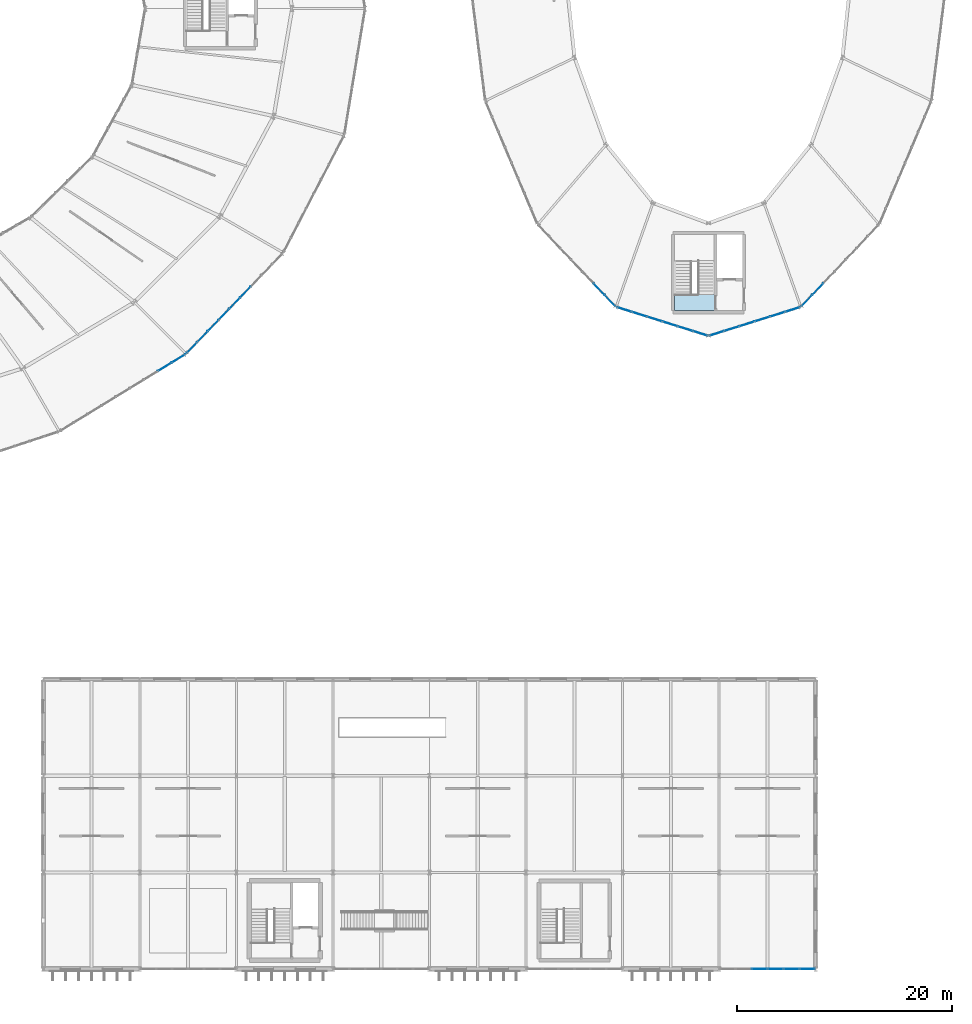
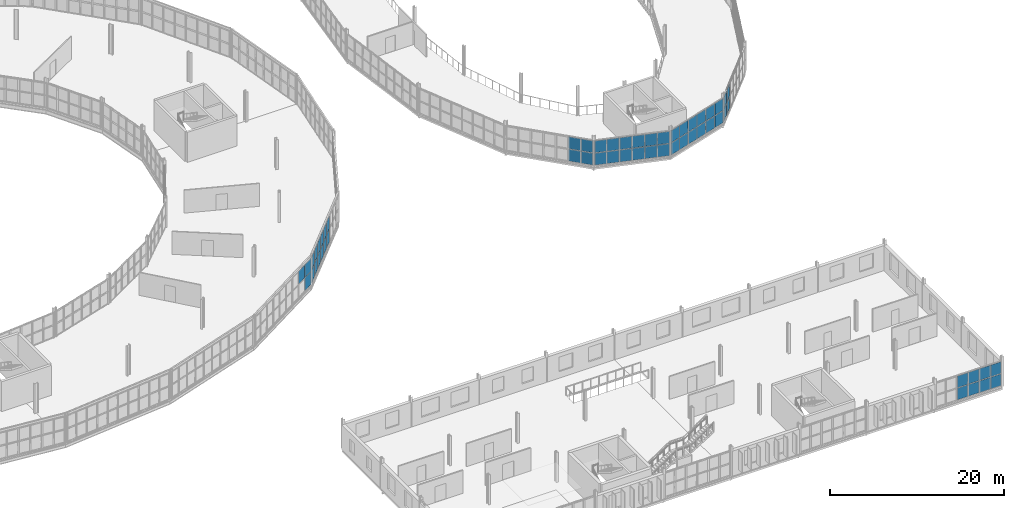
# One storey, part 120 of 161: 55 plates, 1 slab, 7 elements without a shape of their own.
"""IFC4 building model written with IfcOpenShell, lengths in metres."""

import ifcopenshell
import ifcopenshell.guid

model = None  # the IFC model being written
_history = None  # IfcOwnerHistory: only IFC2X3 demands one
_inside = {}  # id of a spatial element -> (the spatial element, [elements in it])
_under = {}  # id of a project, library or spatial element -> (it, [spatial elements below it])
_declared = {}  # id of a project -> (the project, [libraries it declares])
_typed = {}  # id of a type object -> (the type object, [elements of that type])
_made_of = {}  # id of a material, layer set ... -> (it, [elements and type objects made of it])


def new_model(schema):
    """Start an empty IFC model of exactly this schema.

    Asked for "IFC4X3", IfcOpenShell would pick the latest addendum, in which some entities
    have other attributes; the version numbers below select the first issue.
    IFC2X3 requires an IfcOwnerHistory on every rooted entity: one is made here for all.
    """
    global model, _history
    if schema == "IFC4X3":
        model = ifcopenshell.file(schema_version=(4, 3, 0, 0))
    else:
        model = ifcopenshell.file(schema=schema)
    _inside.clear()
    _under.clear()
    _declared.clear()
    _typed.clear()
    _made_of.clear()
    _history = None
    if model.schema == "IFC2X3":
        org = make("IfcOrganization", Name="unknown")
        user = make(
            "IfcPersonAndOrganization",
            ThePerson=make("IfcPerson", FamilyName="unknown"),
            TheOrganization=org,
        )
        app = make(
            "IfcApplication",
            ApplicationDeveloper=org,
            Version="unknown",
            ApplicationFullName="unknown",
            ApplicationIdentifier="unknown",
        )
        _history = make(
            "IfcOwnerHistory",
            OwningUser=user,
            OwningApplication=app,
            ChangeAction="ADDED",
            CreationDate=0,
        )
    return model


def make(cls, **values):
    """One entity of the class cls with the attributes given. An attribute that is None is left unset."""
    return model.create_entity(
        cls, **{name: value for name, value in values.items() if value is not None}
    )


def rooted(cls, **values):
    """An entity with a GlobalId (a new one), such as an element, a storey or a relation."""
    return make(cls, GlobalId=ifcopenshell.guid.new(), OwnerHistory=_history, **values)


def si_unit(unit_type, name, prefix=None):
    """IfcSIUnit, for example si_unit("LENGTHUNIT", "METRE", prefix="MILLI")."""
    return make("IfcSIUnit", UnitType=unit_type, Prefix=prefix, Name=name)


def assignment(units):
    """IfcUnitAssignment: the units of a project."""
    return None if units is None else make("IfcUnitAssignment", Units=units)


def point(xyz):
    """IfcCartesianPoint."""
    return None if xyz is None else make("IfcCartesianPoint", Coordinates=xyz)


def direction(xyz):
    """IfcDirection."""
    return None if xyz is None else make("IfcDirection", DirectionRatios=xyz)


def frame(location, z_axis=None, x_axis=None):
    """IfcAxis2Placement3D, a coordinate frame: its origin and axes. An axis left out is left unset."""
    return make(
        "IfcAxis2Placement3D",
        Location=point(location),
        Axis=direction(z_axis),
        RefDirection=direction(x_axis),
    )


def frame_2d(location, x_axis=None):
    """IfcAxis2Placement2D, a coordinate frame in the plane: its origin and x axis."""
    return make(
        "IfcAxis2Placement2D", Location=point(location), RefDirection=direction(x_axis)
    )


def origin():
    """The frame at (0, 0, 0) with its axes left unset."""
    return frame((0.0, 0.0, 0.0))


def origin_2d():
    """The frame at (0, 0) in the plane with its x axis left unset."""
    return frame_2d((0.0, 0.0))


def place(relative_to, where):
    """IfcLocalPlacement: puts the frame where relative to a parent placement (None: the world)."""
    return make(
        "IfcLocalPlacement", PlacementRelTo=relative_to, RelativePlacement=where
    )


def context(
    kind, dimensions, precision=None, world=None, true_north=None, identifier=None
):
    """IfcGeometricRepresentationContext, for example the 3D "Model" context."""
    return make(
        "IfcGeometricRepresentationContext",
        ContextIdentifier=identifier,
        ContextType=kind,
        CoordinateSpaceDimension=dimensions,
        Precision=precision,
        WorldCoordinateSystem=world,
        TrueNorth=true_north,
    )


def subcontext(parent, identifier, kind, view, scale=None):
    """IfcGeometricRepresentationSubContext, for example "Body" below "Model"."""
    return make(
        "IfcGeometricRepresentationSubContext",
        ContextIdentifier=identifier,
        ContextType=kind,
        ParentContext=parent,
        TargetScale=scale,
        TargetView=view,
    )


def project(units=None, contexts=None):
    """IfcProject with its units and contexts."""
    return rooted(
        "IfcProject",
        Name="project",
        RepresentationContexts=contexts,
        UnitsInContext=assignment(units),
    )


def spatial(cls, under=None, at=None, **own):
    """A site, building, storey or space (cls), placed at a placement, below another one or the project."""
    s = rooted(cls, ObjectPlacement=at, **own)
    if under is not None:
        _under.setdefault(under.id(), (under, []))[1].append(s)
    return s


def polyline(points):
    """IfcPolyline through the points."""
    return make("IfcPolyline", Points=[point(p) for p in points])


def profile(cls, at=None, kind="AREA", **sizes):
    """A parametric profile (cls). Its sizes go by their IFC names, for example OverallWidth=200.0."""
    return make(cls, ProfileType=kind, Position=at, **sizes)


def rectangle(**sizes):
    """IfcRectangleProfileDef."""
    return profile("IfcRectangleProfileDef", **sizes)


def outline(outer, holes=None, kind="AREA"):
    """IfcArbitraryClosedProfileDef: a profile drawn as a closed curve; with holes, ...WithVoids."""
    if holes is None:
        return make("IfcArbitraryClosedProfileDef", ProfileType=kind, OuterCurve=outer)
    return make(
        "IfcArbitraryProfileDefWithVoids",
        ProfileType=kind,
        OuterCurve=outer,
        InnerCurves=holes,
    )


def extrude(swept, where, along, depth):
    """IfcExtrudedAreaSolid: the profile swept, set in the frame where, extruded along a direction by depth."""
    return make(
        "IfcExtrudedAreaSolid",
        SweptArea=swept,
        Position=where,
        ExtrudedDirection=direction(along),
        Depth=depth,
    )


def shape(context_of_items, identifier, shape_type, items):
    """IfcShapeRepresentation: the items that make up one representation, for example the "Body"."""
    return make(
        "IfcShapeRepresentation",
        ContextOfItems=context_of_items,
        RepresentationIdentifier=identifier,
        RepresentationType=shape_type,
        Items=items,
    )


def material(Name=None, Category=None):
    """IfcMaterial."""
    return make("IfcMaterial", Name=Name, Category=Category)


def layer(
    of_material, thickness, ventilated=None, Name=None, Category=None, Priority=None
):
    """IfcMaterialLayer: one layer of a wall or slab, of a material (None: an air gap)."""
    return make(
        "IfcMaterialLayer",
        Material=of_material,
        LayerThickness=thickness,
        IsVentilated=ventilated,
        Name=Name,
        Category=Category,
        Priority=Priority,
    )


def layer_set(layers, Name=None):
    """IfcMaterialLayerSet."""
    return make("IfcMaterialLayerSet", MaterialLayers=layers, LayerSetName=Name)


def made_of(thing, what):
    """Note that an element or type object is made of a material, layer set ...; save() writes the relation."""
    if what is not None:
        _made_of.setdefault(what.id(), (what, []))[1].append(thing)
    return thing


def type_object(cls, material=None, **own):
    """A type object (cls), such as IfcWallType, which elements share."""
    return made_of(rooted(cls, **own), material)


def element(
    cls,
    number,
    at=None,
    inside=None,
    cuts=None,
    type_object=None,
    material=None,
    context=None,
    identifier="Body",
    shape_type=None,
    held_by="IfcProductDefinitionShape",
    body=None,
    shapes=None,
    **own,
):
    """One element of the class cls, such as IfcWall. Its Tag is "e" and its number.

    at: its placement. inside: the storey or other place that contains it. cuts: it is an
    opening in that element (IfcRelVoidsElement). A single representation is given by context,
    identifier, shape_type and body (its items); several are given by shapes. held_by: the class
    of the entity that holds the representations. save() writes the other relations.
    """
    e = rooted(cls, Tag="e%d" % number, ObjectPlacement=at, **own)
    if body is not None:
        shapes = [shape(context, identifier, shape_type, body)]
    if shapes is not None:
        e.Representation = make(held_by, Representations=shapes)
    if inside is not None:
        _inside.setdefault(inside.id(), (inside, []))[1].append(e)
    if cuts is not None:
        rooted(
            "IfcRelVoidsElement", RelatingBuildingElement=cuts, RelatedOpeningElement=e
        )
    if type_object is not None:
        _typed.setdefault(type_object.id(), (type_object, []))[1].append(e)
    return made_of(e, material)


def aggregate(whole, parts):
    """IfcRelAggregates: a whole, such as a stair, and the parts it consists of."""
    return rooted("IfcRelAggregates", RelatingObject=whole, RelatedObjects=parts)


def save(model, path):
    """Write the relations noted so far, then the file.

    IfcRelAggregates (storeys below a building ...), IfcRelContainedInSpatialStructure (elements
    in a storey), IfcRelDefinesByType, IfcRelAssociatesMaterial and IfcRelDeclares: one each for
    every whole, place, type object, material and project.
    """
    for whole, parts in _under.values():
        aggregate(whole, parts)
    for where, things in _inside.values():
        rooted(
            "IfcRelContainedInSpatialStructure",
            RelatedElements=things,
            RelatingStructure=where,
        )
    for kind, things in _typed.values():
        rooted("IfcRelDefinesByType", RelatedObjects=things, RelatingType=kind)
    for what, things in _made_of.values():
        rooted("IfcRelAssociatesMaterial", RelatedObjects=things, RelatingMaterial=what)
    for by, libraries in _declared.values():
        rooted("IfcRelDeclares", RelatingContext=by, RelatedDefinitions=libraries)
    model.write(path)


model = new_model("IFC4")

# Units and contexts
model_context = context("Model", 3, precision=1e-05, world=origin(), true_north=direction((0.0, 1.0)))
body_context = subcontext(model_context, "Body", "Model", "MODEL_VIEW")
ifc_project = project(units=[si_unit("LENGTHUNIT", "METRE"), si_unit("AREAUNIT", "SQUARE_METRE"), si_unit("VOLUMEUNIT", "CUBIC_METRE"), si_unit("PLANEANGLEUNIT", "RADIAN"), si_unit("MASSUNIT", "GRAM", prefix="KILO")], contexts=[model_context])

# Site, building, storey
site_placement = place(None, origin())
site = spatial("IfcSite", under=ifc_project, at=site_placement, CompositionType="ELEMENT")
building_placement = place(site_placement, origin())
building = spatial("IfcBuilding", under=site, at=building_placement, Name="Kildeholm Park Wholesale Market", CompositionType="ELEMENT")
storey_placement = place(building_placement, frame((0.0, 0.0, 5.39990234375)))
storey = spatial("IfcBuildingStorey", under=building, at=storey_placement, Name="L01", CompositionType="ELEMENT", Elevation=5.39990234375)

# Curtain wall, plates
ifc_material_1 = material(Name="Anodised aluminium and low-E double-glazed glass", Category="aluminium")
curtain_wall_type_1 = type_object("IfcCurtainWallType", Name="Market hall glazed arcade stick curtain wall CW-01", PredefinedType="NOTDEFINED", material=ifc_material_1)
curtain_wall_1_placement = place(storey_placement, origin())
curtain_wall_1 = element("IfcCurtainWall", 1, at=curtain_wall_1_placement, inside=storey, type_object=curtain_wall_type_1, Name="Curtain wall CW-V1-OT-20-1 CW-0099", PredefinedType="NOTDEFINED")
ifc_material_2 = material(Name="Double-glazed low-E insulated glass", Category="glass")
ifc_layer_1 = layer(ifc_material_2, 0.028076171875)
ifc_layer_set_1 = layer_set([ifc_layer_1], Name="Double-glazed low-E insulated glass")
plate_type_1 = type_object("IfcPlateType", Name="Curtain-wall panel CWP-1 28 mm", PredefinedType="CURTAIN_PANEL", material=ifc_layer_set_1)
plate_1_placement = place(storey_placement, frame((137.318603515625, 56.103759765625, 1.9326171875), z_axis=(0.0, 0.0, 1.0), x_axis=(0.852771402766, 0.522284342695, 0.0)))
plate_1 = element("IfcPlate", 2, at=plate_1_placement, type_object=plate_type_1, Name="CW-01 panel 8.2 PLT-1503", PredefinedType="CURTAIN_PANEL", context=body_context, shape_type="SweptSolid", body=[
    extrude(rectangle(XDim=1.46435546875, YDim=0.028076171875, at=origin_2d()), origin(), (0.0, 0.0, 1.0), 1.802490234375),
])
plate_2_placement = place(storey_placement, frame((138.609130859375, 56.89404296875, 0.06494140625), z_axis=(0.0, 0.0, 1.0), x_axis=(0.852771402766, 0.522284342695, 0.0)))
plate_2 = element("IfcPlate", 3, at=plate_2_placement, type_object=plate_type_1, Name="CW-01 panel 9.1 PLT-1504", PredefinedType="CURTAIN_PANEL", context=body_context, shape_type="SweptSolid", body=[
    extrude(rectangle(XDim=1.431884765625, YDim=0.028076171875, at=origin_2d()), origin(), (0.0, 0.0, 1.0), 1.802490234375),
])
plate_3_placement = place(storey_placement, frame((138.609130859375, 56.89404296875, 1.9326171875), z_axis=(0.0, 0.0, 1.0), x_axis=(0.852771402766, 0.522284342695, 0.0)))
plate_3 = element("IfcPlate", 4, at=plate_3_placement, type_object=plate_type_1, Name="CW-01 panel 9.2 PLT-1505", PredefinedType="CURTAIN_PANEL", context=body_context, shape_type="SweptSolid", body=[
    extrude(rectangle(XDim=1.431884765625, YDim=0.028076171875, at=origin_2d()), origin(), (0.0, 0.0, 1.0), 1.802490234375),
])
aggregate(curtain_wall_1, [plate_1, plate_2, plate_3])

curtain_wall_2_placement = place(storey_placement, origin())
curtain_wall_2 = element("IfcCurtainWall", 5, at=curtain_wall_2_placement, inside=storey, type_object=curtain_wall_type_1, Name="Curtain wall CW-V1-OT-21-1 CW-0104", PredefinedType="NOTDEFINED")
plate_4_placement = place(storey_placement, frame((139.848388671875, 57.884033203125, 0.06494140625), z_axis=(0.0, 0.0, 1.0), x_axis=(0.69303795493, 0.720901097951, 0.0)))
plate_4 = element("IfcPlate", 6, at=plate_4_placement, type_object=plate_type_1, Name="CW-01 panel 1.1 PLT-1558", PredefinedType="CURTAIN_PANEL", context=body_context, shape_type="SweptSolid", body=[
    extrude(rectangle(XDim=1.345947265625, YDim=0.028076171875, at=origin_2d()), origin(), (0.0, 0.0, 1.0), 1.802490234375),
])
plate_5_placement = place(storey_placement, frame((139.848388671875, 57.884033203125, 1.9326171875), z_axis=(0.0, 0.0, 1.0), x_axis=(0.69303795493, 0.720901097951, 0.0)))
plate_5 = element("IfcPlate", 7, at=plate_5_placement, type_object=plate_type_1, Name="CW-01 panel 1.2 PLT-1559", PredefinedType="CURTAIN_PANEL", context=body_context, shape_type="SweptSolid", body=[
    extrude(rectangle(XDim=1.345947265625, YDim=0.028076171875, at=origin_2d()), origin(), (0.0, 0.0, 1.0), 1.802490234375),
])
plate_6_placement = place(storey_placement, frame((140.837646484375, 58.9130859375, 0.06494140625), z_axis=(0.0, 0.0, 1.0), x_axis=(0.69303795493, 0.720901097951, 0.0)))
plate_6 = element("IfcPlate", 8, at=plate_6_placement, type_object=plate_type_1, Name="CW-01 panel 2.1 PLT-1560", PredefinedType="CURTAIN_PANEL", context=body_context, shape_type="SweptSolid", body=[
    extrude(rectangle(XDim=1.378662109375, YDim=0.028076171875, at=origin_2d()), origin(), (0.0, 0.0, 1.0), 1.802490234375),
])
plate_7_placement = place(storey_placement, frame((140.837646484375, 58.9130859375, 1.9326171875), z_axis=(0.0, 0.0, 1.0), x_axis=(0.69303795493, 0.720901097951, 0.0)))
plate_7 = element("IfcPlate", 9, at=plate_7_placement, type_object=plate_type_1, Name="CW-01 panel 2.2 PLT-1561", PredefinedType="CURTAIN_PANEL", context=body_context, shape_type="SweptSolid", body=[
    extrude(rectangle(XDim=1.378662109375, YDim=0.028076171875, at=origin_2d()), origin(), (0.0, 0.0, 1.0), 1.802490234375),
])
plate_8_placement = place(storey_placement, frame((141.838134765625, 59.95361328125, 0.06494140625), z_axis=(0.0, 0.0, 1.0), x_axis=(0.69303795493, 0.720901097951, 0.0)))
plate_8 = element("IfcPlate", 10, at=plate_8_placement, type_object=plate_type_1, Name="CW-01 panel 3.1 PLT-1562", PredefinedType="CURTAIN_PANEL", context=body_context, shape_type="SweptSolid", body=[
    extrude(rectangle(XDim=1.378662109375, YDim=0.028076171875, at=origin_2d()), origin(), (0.0, 0.0, 1.0), 1.802490234375),
])
plate_9_placement = place(storey_placement, frame((141.838134765625, 59.95361328125, 1.9326171875), z_axis=(0.0, 0.0, 1.0), x_axis=(0.69303795493, 0.720901097951, 0.0)))
plate_9 = element("IfcPlate", 11, at=plate_9_placement, type_object=plate_type_1, Name="CW-01 panel 3.2 PLT-1563", PredefinedType="CURTAIN_PANEL", context=body_context, shape_type="SweptSolid", body=[
    extrude(rectangle(XDim=1.378662109375, YDim=0.028076171875, at=origin_2d()), origin(), (0.0, 0.0, 1.0), 1.802490234375),
])
plate_10_placement = place(storey_placement, frame((142.838623046875, 60.994384765625, 0.06494140625), z_axis=(0.0, 0.0, 1.0), x_axis=(0.69303795493, 0.720901097951, 0.0)))
plate_10 = element("IfcPlate", 12, at=plate_10_placement, type_object=plate_type_1, Name="CW-01 panel 4.1 PLT-1564", PredefinedType="CURTAIN_PANEL", context=body_context, shape_type="SweptSolid", body=[
    extrude(rectangle(XDim=1.378662109375, YDim=0.028076171875, at=origin_2d()), origin(), (0.0, 0.0, 1.0), 1.802490234375),
])
plate_11_placement = place(storey_placement, frame((142.838623046875, 60.994384765625, 1.9326171875), z_axis=(0.0, 0.0, 1.0), x_axis=(0.69303795493, 0.720901097951, 0.0)))
plate_11 = element("IfcPlate", 13, at=plate_11_placement, type_object=plate_type_1, Name="CW-01 panel 4.2 PLT-1565", PredefinedType="CURTAIN_PANEL", context=body_context, shape_type="SweptSolid", body=[
    extrude(rectangle(XDim=1.378662109375, YDim=0.028076171875, at=origin_2d()), origin(), (0.0, 0.0, 1.0), 1.802490234375),
])
plate_12_placement = place(storey_placement, frame((143.839111328125, 62.034912109375, 0.06494140625), z_axis=(0.0, 0.0, 1.0), x_axis=(0.69303795493, 0.720901097951, 0.0)))
plate_12 = element("IfcPlate", 14, at=plate_12_placement, type_object=plate_type_1, Name="CW-01 panel 5.1 PLT-1566", PredefinedType="CURTAIN_PANEL", context=body_context, shape_type="SweptSolid", body=[
    extrude(rectangle(XDim=1.378662109375, YDim=0.028076171875, at=origin_2d()), origin(), (0.0, 0.0, 1.0), 1.802490234375),
])
plate_13_placement = place(storey_placement, frame((143.839111328125, 62.034912109375, 1.9326171875), z_axis=(0.0, 0.0, 1.0), x_axis=(0.69303795493, 0.720901097951, 0.0)))
plate_13 = element("IfcPlate", 15, at=plate_13_placement, type_object=plate_type_1, Name="CW-01 panel 5.2 PLT-1567", PredefinedType="CURTAIN_PANEL", context=body_context, shape_type="SweptSolid", body=[
    extrude(rectangle(XDim=1.378662109375, YDim=0.028076171875, at=origin_2d()), origin(), (0.0, 0.0, 1.0), 1.802490234375),
])
plate_14_placement = place(storey_placement, frame((144.83935546875, 63.07568359375, 0.06494140625), z_axis=(0.0, 0.0, 1.0), x_axis=(0.69303795493, 0.720901097951, 0.0)))
plate_14 = element("IfcPlate", 16, at=plate_14_placement, type_object=plate_type_1, Name="CW-01 panel 6.1 PLT-1568", PredefinedType="CURTAIN_PANEL", context=body_context, shape_type="SweptSolid", body=[
    extrude(rectangle(XDim=1.378662109375, YDim=0.028076171875, at=origin_2d()), origin(), (0.0, 0.0, 1.0), 1.802490234375),
])
plate_15_placement = place(storey_placement, frame((144.83935546875, 63.07568359375, 1.9326171875), z_axis=(0.0, 0.0, 1.0), x_axis=(0.69303795493, 0.720901097951, 0.0)))
plate_15 = element("IfcPlate", 17, at=plate_15_placement, type_object=plate_type_1, Name="CW-01 panel 6.2 PLT-1569", PredefinedType="CURTAIN_PANEL", context=body_context, shape_type="SweptSolid", body=[
    extrude(rectangle(XDim=1.378662109375, YDim=0.028076171875, at=origin_2d()), origin(), (0.0, 0.0, 1.0), 1.802490234375),
])
aggregate(curtain_wall_2, [plate_4, plate_5, plate_6, plate_7, plate_8, plate_9, plate_10, plate_11, plate_12, plate_13, plate_14, plate_15])

curtain_wall_3_placement = place(storey_placement, origin())
curtain_wall_3 = element("IfcCurtainWall", 18, at=curtain_wall_3_placement, inside=storey, type_object=curtain_wall_type_1, Name="Curtain wall CW-V2-L01-10 CW-0129", PredefinedType="NOTDEFINED")
plate_16_placement = place(storey_placement, frame((177.806396484375, 63.35888671875, 0.06494140625), z_axis=(0.0, 0.0, 1.0), x_axis=(0.688147627866, -0.725570701078, 0.0)))
plate_16 = element("IfcPlate", 19, at=plate_16_placement, type_object=plate_type_1, Name="CW-01 panel 6.1 PLT-1904", PredefinedType="CURTAIN_PANEL", context=body_context, shape_type="SweptSolid", body=[
    extrude(rectangle(XDim=1.43896484375, YDim=0.028076171875, at=origin_2d()), origin(), (0.0, 0.0, 1.0), 1.677490234375),
])
plate_17_placement = place(storey_placement, frame((177.806396484375, 63.35888671875, 1.8076171875), z_axis=(0.0, 0.0, 1.0), x_axis=(0.688147627866, -0.725570701078, 0.0)))
plate_17 = element("IfcPlate", 20, at=plate_17_placement, type_object=plate_type_1, Name="CW-01 panel 6.2 PLT-1905", PredefinedType="CURTAIN_PANEL", context=body_context, shape_type="SweptSolid", body=[
    extrude(rectangle(XDim=1.43896484375, YDim=0.028076171875, at=origin_2d()), origin(), (0.0, 0.0, 1.0), 1.677490234375),
])
plate_18_placement = place(storey_placement, frame((178.830322265625, 62.279541015625, 0.06494140625), z_axis=(0.0, 0.0, 1.0), x_axis=(0.688147627866, -0.725570701078, 0.0)))
plate_18 = element("IfcPlate", 21, at=plate_18_placement, type_object=plate_type_1, Name="CW-01 panel 7.1 PLT-1906", PredefinedType="CURTAIN_PANEL", context=body_context, shape_type="SweptSolid", body=[
    extrude(rectangle(XDim=1.406494140625, YDim=0.028076171875, at=origin_2d()), origin(), (0.0, 0.0, 1.0), 1.677490234375),
])
plate_19_placement = place(storey_placement, frame((178.830322265625, 62.279541015625, 1.8076171875), z_axis=(0.0, 0.0, 1.0), x_axis=(0.688147627866, -0.725570701078, 0.0)))
plate_19 = element("IfcPlate", 22, at=plate_19_placement, type_object=plate_type_1, Name="CW-01 panel 7.2 PLT-1907", PredefinedType="CURTAIN_PANEL", context=body_context, shape_type="SweptSolid", body=[
    extrude(rectangle(XDim=1.406494140625, YDim=0.028076171875, at=origin_2d()), origin(), (0.0, 0.0, 1.0), 1.677490234375),
])
aggregate(curtain_wall_3, [plate_16, plate_17, plate_18, plate_19])

curtain_wall_4_placement = place(storey_placement, origin())
curtain_wall_4 = element("IfcCurtainWall", 23, at=curtain_wall_4_placement, inside=storey, type_object=curtain_wall_type_1, Name="Curtain wall CW-V2-L01-11 CW-0130", PredefinedType="NOTDEFINED")
plate_20_placement = place(storey_placement, frame((180.15283203125, 61.450927734375, 0.06494140625), z_axis=(0.0, 0.0, 1.0), x_axis=(0.954103280938, -0.29947776095, 0.0)))
plate_20 = element("IfcPlate", 24, at=plate_20_placement, type_object=plate_type_1, Name="CW-01 panel 1.1 PLT-1908", PredefinedType="CURTAIN_PANEL", context=body_context, shape_type="SweptSolid", body=[
    extrude(rectangle(XDim=1.393310546875, YDim=0.028076171875, at=origin_2d()), origin(), (0.0, 0.0, 1.0), 1.677490234375),
])
plate_21_placement = place(storey_placement, frame((180.15283203125, 61.450927734375, 1.8076171875), z_axis=(0.0, 0.0, 1.0), x_axis=(0.954103280938, -0.29947776095, 0.0)))
plate_21 = element("IfcPlate", 25, at=plate_21_placement, type_object=plate_type_1, Name="CW-01 panel 1.2 PLT-1909", PredefinedType="CURTAIN_PANEL", context=body_context, shape_type="SweptSolid", body=[
    extrude(rectangle(XDim=1.393310546875, YDim=0.028076171875, at=origin_2d()), origin(), (0.0, 0.0, 1.0), 1.677490234375),
])
plate_22_placement = place(storey_placement, frame((181.559814453125, 61.00927734375, 0.06494140625), z_axis=(0.0, 0.0, 1.0), x_axis=(0.954103280938, -0.29947776095, 0.0)))
plate_22 = element("IfcPlate", 26, at=plate_22_placement, type_object=plate_type_1, Name="CW-01 panel 2.1 PLT-1910", PredefinedType="CURTAIN_PANEL", context=body_context, shape_type="SweptSolid", body=[
    extrude(rectangle(XDim=1.426025390625, YDim=0.028076171875, at=origin_2d()), origin(), (0.0, 0.0, 1.0), 1.677490234375),
])
plate_23_placement = place(storey_placement, frame((181.559814453125, 61.00927734375, 1.8076171875), z_axis=(0.0, 0.0, 1.0), x_axis=(0.954103280938, -0.29947776095, 0.0)))
plate_23 = element("IfcPlate", 27, at=plate_23_placement, type_object=plate_type_1, Name="CW-01 panel 2.2 PLT-1911", PredefinedType="CURTAIN_PANEL", context=body_context, shape_type="SweptSolid", body=[
    extrude(rectangle(XDim=1.426025390625, YDim=0.028076171875, at=origin_2d()), origin(), (0.0, 0.0, 1.0), 1.677490234375),
])
plate_24_placement = place(storey_placement, frame((182.982177734375, 60.562744140625, 0.06494140625), z_axis=(0.0, 0.0, 1.0), x_axis=(0.954103280938, -0.29947776095, 0.0)))
plate_24 = element("IfcPlate", 28, at=plate_24_placement, type_object=plate_type_1, Name="CW-01 panel 3.1 PLT-1912", PredefinedType="CURTAIN_PANEL", context=body_context, shape_type="SweptSolid", body=[
    extrude(rectangle(XDim=1.426025390625, YDim=0.028076171875, at=origin_2d()), origin(), (0.0, 0.0, 1.0), 1.677490234375),
])
plate_25_placement = place(storey_placement, frame((182.982177734375, 60.562744140625, 1.8076171875), z_axis=(0.0, 0.0, 1.0), x_axis=(0.954103280938, -0.29947776095, 0.0)))
plate_25 = element("IfcPlate", 29, at=plate_25_placement, type_object=plate_type_1, Name="CW-01 panel 3.2 PLT-1913", PredefinedType="CURTAIN_PANEL", context=body_context, shape_type="SweptSolid", body=[
    extrude(rectangle(XDim=1.426025390625, YDim=0.028076171875, at=origin_2d()), origin(), (0.0, 0.0, 1.0), 1.677490234375),
])
plate_26_placement = place(storey_placement, frame((184.40478515625, 60.1162109375, 0.06494140625), z_axis=(0.0, 0.0, 1.0), x_axis=(0.954103280938, -0.29947776095, 0.0)))
plate_26 = element("IfcPlate", 30, at=plate_26_placement, type_object=plate_type_1, Name="CW-01 panel 4.1 PLT-1914", PredefinedType="CURTAIN_PANEL", context=body_context, shape_type="SweptSolid", body=[
    extrude(rectangle(XDim=1.426025390625, YDim=0.028076171875, at=origin_2d()), origin(), (0.0, 0.0, 1.0), 1.677490234375),
])
plate_27_placement = place(storey_placement, frame((184.40478515625, 60.1162109375, 1.8076171875), z_axis=(0.0, 0.0, 1.0), x_axis=(0.954103280938, -0.29947776095, 0.0)))
plate_27 = element("IfcPlate", 31, at=plate_27_placement, type_object=plate_type_1, Name="CW-01 panel 4.2 PLT-1915", PredefinedType="CURTAIN_PANEL", context=body_context, shape_type="SweptSolid", body=[
    extrude(rectangle(XDim=1.426025390625, YDim=0.028076171875, at=origin_2d()), origin(), (0.0, 0.0, 1.0), 1.677490234375),
])
plate_28_placement = place(storey_placement, frame((185.8271484375, 59.669677734375, 0.06494140625), z_axis=(0.0, 0.0, 1.0), x_axis=(0.954103280938, -0.29947776095, 0.0)))
plate_28 = element("IfcPlate", 32, at=plate_28_placement, type_object=plate_type_1, Name="CW-01 panel 5.1 PLT-1916", PredefinedType="CURTAIN_PANEL", context=body_context, shape_type="SweptSolid", body=[
    extrude(rectangle(XDim=1.426025390625, YDim=0.028076171875, at=origin_2d()), origin(), (0.0, 0.0, 1.0), 1.677490234375),
])
plate_29_placement = place(storey_placement, frame((185.8271484375, 59.669677734375, 1.8076171875), z_axis=(0.0, 0.0, 1.0), x_axis=(0.954103280938, -0.29947776095, 0.0)))
plate_29 = element("IfcPlate", 33, at=plate_29_placement, type_object=plate_type_1, Name="CW-01 panel 5.2 PLT-1917", PredefinedType="CURTAIN_PANEL", context=body_context, shape_type="SweptSolid", body=[
    extrude(rectangle(XDim=1.426025390625, YDim=0.028076171875, at=origin_2d()), origin(), (0.0, 0.0, 1.0), 1.677490234375),
])
plate_30_placement = place(storey_placement, frame((187.234130859375, 59.22802734375, 0.06494140625), z_axis=(0.0, 0.0, 1.0), x_axis=(0.954103280938, -0.29947776095, 0.0)))
plate_30 = element("IfcPlate", 34, at=plate_30_placement, type_object=plate_type_1, Name="CW-01 panel 6.1 PLT-1918", PredefinedType="CURTAIN_PANEL", context=body_context, shape_type="SweptSolid", body=[
    extrude(rectangle(XDim=1.393310546875, YDim=0.028076171875, at=origin_2d()), origin(), (0.0, 0.0, 1.0), 1.677490234375),
])
plate_31_placement = place(storey_placement, frame((187.234130859375, 59.22802734375, 1.8076171875), z_axis=(0.0, 0.0, 1.0), x_axis=(0.954103280938, -0.29947776095, 0.0)))
plate_31 = element("IfcPlate", 35, at=plate_31_placement, type_object=plate_type_1, Name="CW-01 panel 6.2 PLT-1919", PredefinedType="CURTAIN_PANEL", context=body_context, shape_type="SweptSolid", body=[
    extrude(rectangle(XDim=1.393310546875, YDim=0.028076171875, at=origin_2d()), origin(), (0.0, 0.0, 1.0), 1.677490234375),
])
aggregate(curtain_wall_4, [plate_20, plate_21, plate_22, plate_23, plate_24, plate_25, plate_26, plate_27, plate_28, plate_29, plate_30, plate_31])

curtain_wall_5_placement = place(storey_placement, origin())
curtain_wall_5 = element("IfcCurtainWall", 36, at=curtain_wall_5_placement, inside=storey, type_object=curtain_wall_type_1, Name="Curtain wall CW-V2-L01-12 CW-0131", PredefinedType="NOTDEFINED")
plate_32_placement = place(storey_placement, frame((188.765869140625, 59.22802734375, 0.06494140625), z_axis=(0.0, 0.0, 1.0), x_axis=(0.954103280938, 0.29947776095, 0.0)))
plate_32 = element("IfcPlate", 37, at=plate_32_placement, type_object=plate_type_1, Name="CW-01 panel 1.1 PLT-1920", PredefinedType="CURTAIN_PANEL", context=body_context, shape_type="SweptSolid", body=[
    extrude(rectangle(XDim=1.393310546875, YDim=0.028076171875, at=origin_2d()), origin(), (0.0, 0.0, 1.0), 1.677490234375),
])
plate_33_placement = place(storey_placement, frame((188.765869140625, 59.22802734375, 1.8076171875), z_axis=(0.0, 0.0, 1.0), x_axis=(0.954103280938, 0.29947776095, 0.0)))
plate_33 = element("IfcPlate", 38, at=plate_33_placement, type_object=plate_type_1, Name="CW-01 panel 1.2 PLT-1921", PredefinedType="CURTAIN_PANEL", context=body_context, shape_type="SweptSolid", body=[
    extrude(rectangle(XDim=1.393310546875, YDim=0.028076171875, at=origin_2d()), origin(), (0.0, 0.0, 1.0), 1.677490234375),
])
plate_34_placement = place(storey_placement, frame((190.1728515625, 59.669677734375, 0.06494140625), z_axis=(0.0, 0.0, 1.0), x_axis=(0.954103280938, 0.29947776095, 0.0)))
plate_34 = element("IfcPlate", 39, at=plate_34_placement, type_object=plate_type_1, Name="CW-01 panel 2.1 PLT-1922", PredefinedType="CURTAIN_PANEL", context=body_context, shape_type="SweptSolid", body=[
    extrude(rectangle(XDim=1.426025390625, YDim=0.028076171875, at=origin_2d()), origin(), (0.0, 0.0, 1.0), 1.677490234375),
])
plate_35_placement = place(storey_placement, frame((190.1728515625, 59.669677734375, 1.8076171875), z_axis=(0.0, 0.0, 1.0), x_axis=(0.954103280938, 0.29947776095, 0.0)))
plate_35 = element("IfcPlate", 40, at=plate_35_placement, type_object=plate_type_1, Name="CW-01 panel 2.2 PLT-1923", PredefinedType="CURTAIN_PANEL", context=body_context, shape_type="SweptSolid", body=[
    extrude(rectangle(XDim=1.426025390625, YDim=0.028076171875, at=origin_2d()), origin(), (0.0, 0.0, 1.0), 1.677490234375),
])
plate_36_placement = place(storey_placement, frame((191.59521484375, 60.1162109375, 0.06494140625), z_axis=(0.0, 0.0, 1.0), x_axis=(0.954103280938, 0.29947776095, 0.0)))
plate_36 = element("IfcPlate", 41, at=plate_36_placement, type_object=plate_type_1, Name="CW-01 panel 3.1 PLT-1924", PredefinedType="CURTAIN_PANEL", context=body_context, shape_type="SweptSolid", body=[
    extrude(rectangle(XDim=1.426025390625, YDim=0.028076171875, at=origin_2d()), origin(), (0.0, 0.0, 1.0), 1.677490234375),
])
plate_37_placement = place(storey_placement, frame((191.59521484375, 60.1162109375, 1.8076171875), z_axis=(0.0, 0.0, 1.0), x_axis=(0.954103280938, 0.29947776095, 0.0)))
plate_37 = element("IfcPlate", 42, at=plate_37_placement, type_object=plate_type_1, Name="CW-01 panel 3.2 PLT-1925", PredefinedType="CURTAIN_PANEL", context=body_context, shape_type="SweptSolid", body=[
    extrude(rectangle(XDim=1.426025390625, YDim=0.028076171875, at=origin_2d()), origin(), (0.0, 0.0, 1.0), 1.677490234375),
])
plate_38_placement = place(storey_placement, frame((193.017822265625, 60.562744140625, 0.06494140625), z_axis=(0.0, 0.0, 1.0), x_axis=(0.954103280938, 0.29947776095, 0.0)))
plate_38 = element("IfcPlate", 43, at=plate_38_placement, type_object=plate_type_1, Name="CW-01 panel 4.1 PLT-1926", PredefinedType="CURTAIN_PANEL", context=body_context, shape_type="SweptSolid", body=[
    extrude(rectangle(XDim=1.426025390625, YDim=0.028076171875, at=origin_2d()), origin(), (0.0, 0.0, 1.0), 1.677490234375),
])
plate_39_placement = place(storey_placement, frame((193.017822265625, 60.562744140625, 1.8076171875), z_axis=(0.0, 0.0, 1.0), x_axis=(0.954103280938, 0.29947776095, 0.0)))
plate_39 = element("IfcPlate", 44, at=plate_39_placement, type_object=plate_type_1, Name="CW-01 panel 4.2 PLT-1927", PredefinedType="CURTAIN_PANEL", context=body_context, shape_type="SweptSolid", body=[
    extrude(rectangle(XDim=1.426025390625, YDim=0.028076171875, at=origin_2d()), origin(), (0.0, 0.0, 1.0), 1.677490234375),
])
plate_40_placement = place(storey_placement, frame((194.440185546875, 61.00927734375, 0.06494140625), z_axis=(0.0, 0.0, 1.0), x_axis=(0.954103280938, 0.29947776095, 0.0)))
plate_40 = element("IfcPlate", 45, at=plate_40_placement, type_object=plate_type_1, Name="CW-01 panel 5.1 PLT-1928", PredefinedType="CURTAIN_PANEL", context=body_context, shape_type="SweptSolid", body=[
    extrude(rectangle(XDim=1.426025390625, YDim=0.028076171875, at=origin_2d()), origin(), (0.0, 0.0, 1.0), 1.677490234375),
])
plate_41_placement = place(storey_placement, frame((194.440185546875, 61.00927734375, 1.8076171875), z_axis=(0.0, 0.0, 1.0), x_axis=(0.954103280938, 0.29947776095, 0.0)))
plate_41 = element("IfcPlate", 46, at=plate_41_placement, type_object=plate_type_1, Name="CW-01 panel 5.2 PLT-1929", PredefinedType="CURTAIN_PANEL", context=body_context, shape_type="SweptSolid", body=[
    extrude(rectangle(XDim=1.426025390625, YDim=0.028076171875, at=origin_2d()), origin(), (0.0, 0.0, 1.0), 1.677490234375),
])
plate_42_placement = place(storey_placement, frame((195.84716796875, 61.450927734375, 0.06494140625), z_axis=(0.0, 0.0, 1.0), x_axis=(0.954103280938, 0.29947776095, 0.0)))
plate_42 = element("IfcPlate", 47, at=plate_42_placement, type_object=plate_type_1, Name="CW-01 panel 6.1 PLT-1930", PredefinedType="CURTAIN_PANEL", context=body_context, shape_type="SweptSolid", body=[
    extrude(rectangle(XDim=1.393310546875, YDim=0.028076171875, at=origin_2d()), origin(), (0.0, 0.0, 1.0), 1.677490234375),
])
plate_43_placement = place(storey_placement, frame((195.84716796875, 61.450927734375, 1.8076171875), z_axis=(0.0, 0.0, 1.0), x_axis=(0.954103280938, 0.29947776095, 0.0)))
plate_43 = element("IfcPlate", 48, at=plate_43_placement, type_object=plate_type_1, Name="CW-01 panel 6.2 PLT-1931", PredefinedType="CURTAIN_PANEL", context=body_context, shape_type="SweptSolid", body=[
    extrude(rectangle(XDim=1.393310546875, YDim=0.028076171875, at=origin_2d()), origin(), (0.0, 0.0, 1.0), 1.677490234375),
])
aggregate(curtain_wall_5, [plate_32, plate_33, plate_34, plate_35, plate_36, plate_37, plate_38, plate_39, plate_40, plate_41, plate_42, plate_43])

curtain_wall_6_placement = place(storey_placement, origin())
curtain_wall_6 = element("IfcCurtainWall", 49, at=curtain_wall_6_placement, inside=storey, type_object=curtain_wall_type_1, Name="Curtain wall CW-V2-L01-13 CW-0132", PredefinedType="NOTDEFINED")
plate_44_placement = place(storey_placement, frame((197.169677734375, 62.279541015625, 0.06494140625), z_axis=(0.0, 0.0, 1.0), x_axis=(0.688147627866, 0.725570701078, 0.0)))
plate_44 = element("IfcPlate", 50, at=plate_44_placement, type_object=plate_type_1, Name="CW-01 panel 1.1 PLT-1932", PredefinedType="CURTAIN_PANEL", context=body_context, shape_type="SweptSolid", body=[
    extrude(rectangle(XDim=1.406494140625, YDim=0.028076171875, at=origin_2d()), origin(), (0.0, 0.0, 1.0), 1.677490234375),
])
plate_45_placement = place(storey_placement, frame((197.169677734375, 62.279541015625, 1.8076171875), z_axis=(0.0, 0.0, 1.0), x_axis=(0.688147627866, 0.725570701078, 0.0)))
plate_45 = element("IfcPlate", 51, at=plate_45_placement, type_object=plate_type_1, Name="CW-01 panel 1.2 PLT-1933", PredefinedType="CURTAIN_PANEL", context=body_context, shape_type="SweptSolid", body=[
    extrude(rectangle(XDim=1.406494140625, YDim=0.028076171875, at=origin_2d()), origin(), (0.0, 0.0, 1.0), 1.677490234375),
])
plate_46_placement = place(storey_placement, frame((198.193603515625, 63.35888671875, 0.06494140625), z_axis=(0.0, 0.0, 1.0), x_axis=(0.688147627866, 0.725570701078, 0.0)))
plate_46 = element("IfcPlate", 52, at=plate_46_placement, type_object=plate_type_1, Name="CW-01 panel 2.1 PLT-1934", PredefinedType="CURTAIN_PANEL", context=body_context, shape_type="SweptSolid", body=[
    extrude(rectangle(XDim=1.43896484375, YDim=0.028076171875, at=origin_2d()), origin(), (0.0, 0.0, 1.0), 1.677490234375),
])
plate_47_placement = place(storey_placement, frame((198.193603515625, 63.35888671875, 1.8076171875), z_axis=(0.0, 0.0, 1.0), x_axis=(0.688147627866, 0.725570701078, 0.0)))
plate_47 = element("IfcPlate", 53, at=plate_47_placement, type_object=plate_type_1, Name="CW-01 panel 2.2 PLT-1935", PredefinedType="CURTAIN_PANEL", context=body_context, shape_type="SweptSolid", body=[
    extrude(rectangle(XDim=1.43896484375, YDim=0.028076171875, at=origin_2d()), origin(), (0.0, 0.0, 1.0), 1.677490234375),
])
aggregate(curtain_wall_6, [plate_44, plate_45, plate_46, plate_47])

curtain_wall_type_2 = type_object("IfcCurtainWallType", Name="Park wing thermally broken curtain wall CW-03", PredefinedType="NOTDEFINED", material=ifc_material_1)
curtain_wall_7_placement = place(storey_placement, origin())
curtain_wall_7 = element("IfcCurtainWall", 54, at=curtain_wall_7_placement, inside=storey, type_object=curtain_wall_type_2, Name="Curtain wall CW-V5E-L01-S-08 CW-0154", PredefinedType="NOTDEFINED")
ifc_material_3 = material(Name="Triple-glazed solar-control glass", Category="glass")
ifc_layer_2 = layer(ifc_material_3, 0.035888671875)
ifc_layer_set_2 = layer_set([ifc_layer_2], Name="Triple-glazed solar-control glass")
plate_type_2 = type_object("IfcPlateType", Name="Curtain-wall panel CWP-2 36 mm", PredefinedType="CURTAIN_PANEL", material=ifc_layer_set_2)
plate_48_placement = place(storey_placement, frame((192.756591796875, 0.0, 0.0751953125), z_axis=(0.0, 0.0, 1.0), x_axis=(1.0, 0.0, 0.0)))
plate_48 = element("IfcPlate", 55, at=plate_48_placement, type_object=plate_type_2, Name="CW-03 panel 3.1 PLT-2260", PredefinedType="CURTAIN_PANEL", context=body_context, shape_type="SweptSolid", body=[
    extrude(rectangle(XDim=1.41162109375, YDim=0.035888671875, at=origin_2d()), origin(), (0.0, 0.0, 1.0), 1.637451171875),
])
plate_49_placement = place(storey_placement, frame((192.756591796875, 0.0, 1.78759765625), z_axis=(0.0, 0.0, 1.0), x_axis=(1.0, 0.0, 0.0)))
plate_49 = element("IfcPlate", 56, at=plate_49_placement, type_object=plate_type_2, Name="CW-03 panel 3.2 PLT-2261", PredefinedType="CURTAIN_PANEL", context=body_context, shape_type="SweptSolid", body=[
    extrude(rectangle(XDim=1.41162109375, YDim=0.035888671875, at=origin_2d()), origin(), (0.0, 0.0, 1.0), 1.637451171875),
])
plate_50_placement = place(storey_placement, frame((194.243408203125, 0.0, 0.0751953125), z_axis=(0.0, 0.0, 1.0), x_axis=(1.0, 0.0, 0.0)))
plate_50 = element("IfcPlate", 57, at=plate_50_placement, type_object=plate_type_2, Name="CW-03 panel 4.1 PLT-2262", PredefinedType="CURTAIN_PANEL", context=body_context, shape_type="SweptSolid", body=[
    extrude(rectangle(XDim=1.41162109375, YDim=0.035888671875, at=origin_2d()), origin(), (0.0, 0.0, 1.0), 1.637451171875),
])
plate_51_placement = place(storey_placement, frame((194.243408203125, 0.0, 1.78759765625), z_axis=(0.0, 0.0, 1.0), x_axis=(1.0, 0.0, 0.0)))
plate_51 = element("IfcPlate", 58, at=plate_51_placement, type_object=plate_type_2, Name="CW-03 panel 4.2 PLT-2263", PredefinedType="CURTAIN_PANEL", context=body_context, shape_type="SweptSolid", body=[
    extrude(rectangle(XDim=1.41162109375, YDim=0.035888671875, at=origin_2d()), origin(), (0.0, 0.0, 1.0), 1.637451171875),
])
plate_52_placement = place(storey_placement, frame((195.72998046875, 0.0, 0.0751953125), z_axis=(0.0, 0.0, 1.0), x_axis=(1.0, 0.0, 0.0)))
plate_52 = element("IfcPlate", 59, at=plate_52_placement, type_object=plate_type_2, Name="CW-03 panel 5.1 PLT-2264", PredefinedType="CURTAIN_PANEL", context=body_context, shape_type="SweptSolid", body=[
    extrude(rectangle(XDim=1.41162109375, YDim=0.035888671875, at=origin_2d()), origin(), (0.0, 0.0, 1.0), 1.637451171875),
])
plate_53_placement = place(storey_placement, frame((195.72998046875, 0.0, 1.78759765625), z_axis=(0.0, 0.0, 1.0), x_axis=(1.0, 0.0, 0.0)))
plate_53 = element("IfcPlate", 60, at=plate_53_placement, type_object=plate_type_2, Name="CW-03 panel 5.2 PLT-2265", PredefinedType="CURTAIN_PANEL", context=body_context, shape_type="SweptSolid", body=[
    extrude(rectangle(XDim=1.41162109375, YDim=0.035888671875, at=origin_2d()), origin(), (0.0, 0.0, 1.0), 1.637451171875),
])
plate_54_placement = place(storey_placement, frame((197.197998046875, 0.0, 0.0751953125), z_axis=(0.0, 0.0, 1.0), x_axis=(1.0, 0.0, 0.0)))
plate_54 = element("IfcPlate", 61, at=plate_54_placement, type_object=plate_type_2, Name="CW-03 panel 6.1 PLT-2266", PredefinedType="CURTAIN_PANEL", context=body_context, shape_type="SweptSolid", body=[
    extrude(rectangle(XDim=1.374267578125, YDim=0.035888671875, at=origin_2d()), origin(), (0.0, 0.0, 1.0), 1.637451171875),
])
plate_55_placement = place(storey_placement, frame((197.197998046875, 0.0, 1.78759765625), z_axis=(0.0, 0.0, 1.0), x_axis=(1.0, 0.0, 0.0)))
plate_55 = element("IfcPlate", 62, at=plate_55_placement, type_object=plate_type_2, Name="CW-03 panel 6.2 PLT-2267", PredefinedType="CURTAIN_PANEL", context=body_context, shape_type="SweptSolid", body=[
    extrude(rectangle(XDim=1.374267578125, YDim=0.035888671875, at=origin_2d()), origin(), (0.0, 0.0, 1.0), 1.637451171875),
])
aggregate(curtain_wall_7, [plate_48, plate_49, plate_50, plate_51, plate_52, plate_53, plate_54, plate_55])

# Slab
ifc_material_4 = material(Name="Concrete C35/45", Category="concrete")
ifc_layer_3 = layer(ifc_material_4, 0.239990234375)
ifc_layer_set_3 = layer_set([ifc_layer_3], Name="Concrete C35/45")
slab_type = type_object("IfcSlabType", Name="Stair landing slab S-LD1 240 mm", PredefinedType="LANDING", material=ifc_layer_set_3)
slab_placement = place(storey_placement, frame((0.0, 0.0, -0.239990234375)))
element("IfcSlab", 63, at=slab_placement, inside=storey, type_object=slab_type, Name="Core C12 stair landing slab L01 SLB-0473", PredefinedType="LANDING", context=body_context, shape_type="SweptSolid", body=[
    extrude(outline(polyline([(184.85009765625, 61.35009765625), (188.64990234375, 61.35009765625), (188.64990234375, 62.89990234375), (184.85009765625, 62.89990234375), (184.85009765625, 61.35009765625)])), origin(), (0.0, 0.0, 1.0), 0.239990234375),
])

save(model, "model.ifc")
